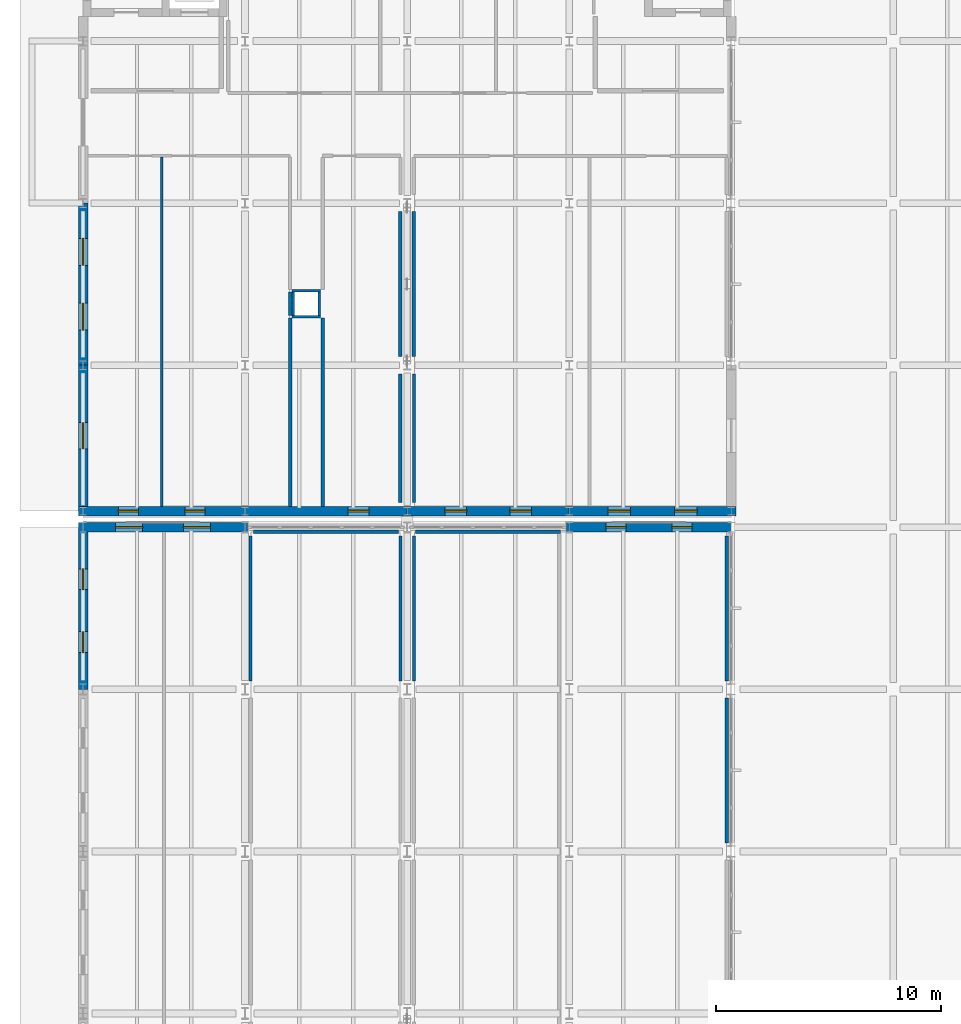
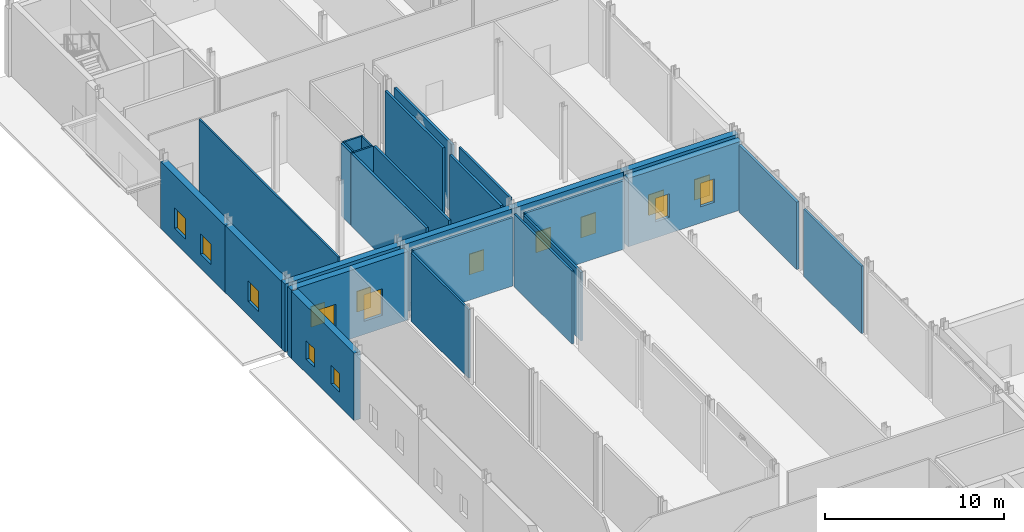
# One storey, part 62 of 89: 28 walls, 16 windows, 16 openings.
"""IFC4 building model written with IfcOpenShell, lengths in metres."""

from ifc_helpers import new_model, si_unit, direction, frame, frame_2d, origin, place, context, subcontext, project, spatial, rectangle, extrude, material, layer, layer_set, type_object, element, fill, save


model = new_model("IFC4")

# Units and contexts
model_context = context("Model", 3, precision=1e-05, world=origin(), true_north=direction((0.0, 1.0)))
body_context = subcontext(model_context, "Body", "Model", "MODEL_VIEW")
ifc_project = project(units=[si_unit("LENGTHUNIT", "METRE"), si_unit("AREAUNIT", "SQUARE_METRE"), si_unit("VOLUMEUNIT", "CUBIC_METRE"), si_unit("PLANEANGLEUNIT", "RADIAN"), si_unit("MASSUNIT", "GRAM", prefix="KILO")], contexts=[model_context])

# Site, building, storey
site_placement = place(None, origin())
site = spatial("IfcSite", under=ifc_project, at=site_placement, CompositionType="ELEMENT")
building_placement = place(site_placement, origin())
building = spatial("IfcBuilding", under=site, at=building_placement, Name="Zarrinpeak Specialist Clinic", CompositionType="ELEMENT")
storey_placement = place(building_placement, origin())
storey = spatial("IfcBuildingStorey", under=building, at=storey_placement, Name="L00", CompositionType="ELEMENT", Elevation=0.0)

# Wall, openings, windows
ifc_material_1 = material(Name="Precast concrete C40/50", Category="concrete")
ifc_layer_1 = layer(ifc_material_1, 0.419921875)
ifc_layer_set_1 = layer_set([ifc_layer_1], Name="Precast concrete C40/50")
wall_type_1 = type_object("IfcWallType", Name="WL-EW420", PredefinedType="STANDARD", material=ifc_layer_set_1)
wall_1_placement = place(storey_placement, frame((7.31005859375, 50.39990234375, 0.0), z_axis=(0.0, 0.0, 1.0), x_axis=(-1.0, 0.0, 0.0)))
wall_1 = element("IfcWall", 1, at=wall_1_placement, inside=storey, type_object=wall_type_1, Name="L00 V1 Exterior GRC Wall EW-L00-V1-0005", PredefinedType="STANDARD", context=body_context, shape_type="SweptSolid", body=[
    extrude(rectangle(XDim=7.52001953125, YDim=0.419921875, at=frame_2d((3.760009765625, 0.0))), origin(), (0.0, 0.0, 1.0), 4.6650390625),
])
opening_1_placement = place(wall_1_placement, frame((1.656005859375, 0.0, 0.89990234375)))
opening_1 = element("IfcOpeningElement", 2, at=opening_1_placement, cuts=wall_1, Name="Opening W-03", PredefinedType="OPENING", context=body_context, shape_type="SweptSolid", body=[
    extrude(rectangle(XDim=1.199951171875, YDim=1.800048828125, at=frame_2d((0.60009765625, 0.89990234375))), frame((0.0, 0.219970703125, 0.0), z_axis=(0.0, -1.0, 0.0), x_axis=(1.0, 0.0, 0.0)), (0.0, 0.0, 1.0), 0.43994140625),
])
opening_2_placement = place(wall_1_placement, frame((4.6640625, 0.0, 0.89990234375)))
opening_2 = element("IfcOpeningElement", 3, at=opening_2_placement, cuts=wall_1, Name="Opening W-03", PredefinedType="OPENING", context=body_context, shape_type="SweptSolid", body=[
    extrude(rectangle(XDim=1.199951171875, YDim=1.800048828125, at=frame_2d((0.60009765625, 0.89990234375))), frame((0.0, 0.219970703125, 0.0), z_axis=(0.0, -1.0, 0.0), x_axis=(1.0, 0.0, 0.0)), (0.0, 0.0, 1.0), 0.43994140625),
])
ifc_material_2 = material(Name="Thermally Broken Aluminium and Low-E Glazing", Category="aluminium")
window_type_1 = type_object("IfcWindowType", Name="WN-CL120", PartitioningType="SINGLE_PANEL", PredefinedType="WINDOW", material=ifc_material_2)
window_1_placement = place(opening_1_placement, origin())
window_1 = element("IfcWindow", 4, at=window_1_placement, inside=storey, type_object=window_type_1, Name="L00 Modular Facade Window WN-L00-0004", OverallHeight=1.800048828125, OverallWidth=1.199951171875, PartitioningType="SINGLE_PANEL", PredefinedType="WINDOW", context=body_context, shape_type="SweptSolid", body=[
    extrude(rectangle(XDim=1.199951171875, YDim=1.800048828125, at=frame_2d((0.60009765625, 0.89990234375))), frame((0.0, 0.030029296875, 0.0), z_axis=(0.0, -1.0, 0.0), x_axis=(1.0, 0.0, 0.0)), (0.0, 0.0, 1.0), 0.06005859375),
])
fill(opening_1, window_1)
window_2_placement = place(opening_2_placement, origin())
window_2 = element("IfcWindow", 5, at=window_2_placement, inside=storey, type_object=window_type_1, Name="L00 Modular Facade Window WN-L00-0005", OverallHeight=1.800048828125, OverallWidth=1.199951171875, PartitioningType="SINGLE_PANEL", PredefinedType="WINDOW", context=body_context, shape_type="SweptSolid", body=[
    extrude(rectangle(XDim=1.199951171875, YDim=1.800048828125, at=frame_2d((0.60009765625, 0.89990234375))), frame((0.0, 0.030029296875, 0.0), z_axis=(0.0, -1.0, 0.0), x_axis=(1.0, 0.0, 0.0)), (0.0, 0.0, 1.0), 0.06005859375),
])
fill(opening_2, window_2)

wall_2_placement = place(storey_placement, frame((28.800048828125, 50.39990234375, 0.0), z_axis=(0.0, 0.0, 1.0), x_axis=(-1.0, 0.0, 0.0)))
wall_2 = element("IfcWall", 6, at=wall_2_placement, inside=storey, type_object=wall_type_1, Name="L00 V1 Exterior GRC Wall EW-L00-V1-0006", PredefinedType="STANDARD", context=body_context, shape_type="SweptSolid", body=[
    extrude(rectangle(XDim=7.31005859375, YDim=0.419921875, at=frame_2d((3.655029296875, 0.0))), origin(), (0.0, 0.0, 1.0), 4.6650390625),
])
opening_3_placement = place(wall_2_placement, frame((1.742919921875, 0.0, 1.10009765625)))
opening_3 = element("IfcOpeningElement", 7, at=opening_3_placement, cuts=wall_2, Name="Opening W-07", PredefinedType="OPENING", context=body_context, shape_type="SweptSolid", body=[
    extrude(rectangle(XDim=0.89990234375, YDim=1.60009765625, at=frame_2d((0.449951171875, 0.800048828125))), frame((0.0, 0.219970703125, 0.0), z_axis=(0.0, -1.0, 0.0), x_axis=(1.0, 0.0, 0.0)), (0.0, 0.0, 1.0), 0.43994140625),
])
opening_4_placement = place(wall_2_placement, frame((4.6669921875, 0.0, 1.10009765625)))
opening_4 = element("IfcOpeningElement", 8, at=opening_4_placement, cuts=wall_2, Name="Opening W-07", PredefinedType="OPENING", context=body_context, shape_type="SweptSolid", body=[
    extrude(rectangle(XDim=0.89990234375, YDim=1.60009765625, at=frame_2d((0.449951171875, 0.800048828125))), frame((0.0, 0.219970703125, 0.0), z_axis=(0.0, -1.0, 0.0), x_axis=(1.0, 0.0, 0.0)), (0.0, 0.0, 1.0), 0.43994140625),
])
window_type_2 = type_object("IfcWindowType", Name="WN-OBS90", PartitioningType="SINGLE_PANEL", PredefinedType="WINDOW", material=ifc_material_2)
window_3_placement = place(opening_3_placement, origin())
window_3 = element("IfcWindow", 9, at=window_3_placement, inside=storey, type_object=window_type_2, Name="L00 Modular Facade Window WN-L00-0006", OverallHeight=1.60009765625, OverallWidth=0.89990234375, PartitioningType="SINGLE_PANEL", PredefinedType="WINDOW", context=body_context, shape_type="SweptSolid", body=[
    extrude(rectangle(XDim=0.89990234375, YDim=1.60009765625, at=frame_2d((0.449951171875, 0.800048828125))), frame((0.0, 0.030029296875, 0.0), z_axis=(0.0, -1.0, 0.0), x_axis=(1.0, 0.0, 0.0)), (0.0, 0.0, 1.0), 0.06005859375),
])
fill(opening_3, window_3)
window_4_placement = place(opening_4_placement, origin())
window_4 = element("IfcWindow", 10, at=window_4_placement, inside=storey, type_object=window_type_2, Name="L00 Modular Facade Window WN-L00-0007", OverallHeight=1.60009765625, OverallWidth=0.89990234375, PartitioningType="SINGLE_PANEL", PredefinedType="WINDOW", context=body_context, shape_type="SweptSolid", body=[
    extrude(rectangle(XDim=0.89990234375, YDim=1.60009765625, at=frame_2d((0.449951171875, 0.800048828125))), frame((0.0, 0.030029296875, 0.0), z_axis=(0.0, -1.0, 0.0), x_axis=(1.0, 0.0, 0.0)), (0.0, 0.0, 1.0), 0.06005859375),
])
fill(opening_4, window_4)

wall_3_placement = place(storey_placement, frame((0.0, 50.18994140625, 0.0), z_axis=(0.0, 0.0, 1.0), x_axis=(0.0, -1.0, 0.0)))
wall_3 = element("IfcWall", 11, at=wall_3_placement, inside=storey, type_object=wall_type_1, Name="L00 V1 Exterior GRC Wall EW-L00-V1-0012", PredefinedType="STANDARD", context=body_context, shape_type="SweptSolid", body=[
    extrude(rectangle(XDim=6.989990234375, YDim=0.419921875, at=frame_2d((3.4951171875, 0.0))), origin(), (0.0, 0.0, 1.0), 4.594970703125),
])
opening_5_placement = place(wall_3_placement, frame((1.633056640625, 0.0, 0.949951171875)))
opening_5 = element("IfcOpeningElement", 12, at=opening_5_placement, cuts=wall_3, Name="Opening WS-03", PredefinedType="OPENING", context=body_context, shape_type="SweptSolid", body=[
    extrude(rectangle(XDim=0.927978515625, YDim=1.260009765625, at=frame_2d((0.4638671875, 0.6298828125))), frame((0.0, 0.219970703125, 0.0), z_axis=(0.0, -1.0, 0.0), x_axis=(1.0, 0.0, 0.0)), (0.0, 0.0, 1.0), 0.43994140625),
])
opening_6_placement = place(wall_3_placement, frame((4.428955078125, 0.0, 0.949951171875)))
opening_6 = element("IfcOpeningElement", 13, at=opening_6_placement, cuts=wall_3, Name="Opening WS-03", PredefinedType="OPENING", context=body_context, shape_type="SweptSolid", body=[
    extrude(rectangle(XDim=0.927978515625, YDim=1.260009765625, at=frame_2d((0.4638671875, 0.6298828125))), frame((0.0, 0.219970703125, 0.0), z_axis=(0.0, -1.0, 0.0), x_axis=(1.0, 0.0, 0.0)), (0.0, 0.0, 1.0), 0.43994140625),
])
window_type_3 = type_object("IfcWindowType", Name="WN-SP03", PartitioningType="SINGLE_PANEL", PredefinedType="WINDOW", material=ifc_material_2)
window_5_placement = place(opening_5_placement, origin())
window_5 = element("IfcWindow", 14, at=window_5_placement, inside=storey, type_object=window_type_3, Name="L00 Modular Facade Window WN-L00-0016", OverallHeight=1.260009765625, OverallWidth=0.927978515625, PartitioningType="SINGLE_PANEL", PredefinedType="WINDOW", context=body_context, shape_type="SweptSolid", body=[
    extrude(rectangle(XDim=0.927978515625, YDim=1.260009765625, at=frame_2d((0.4638671875, 0.6298828125))), frame((0.0, 0.030029296875, 0.0), z_axis=(0.0, -1.0, 0.0), x_axis=(1.0, 0.0, 0.0)), (0.0, 0.0, 1.0), 0.06005859375),
])
fill(opening_5, window_5)
window_6_placement = place(opening_6_placement, origin())
window_6 = element("IfcWindow", 15, at=window_6_placement, inside=storey, type_object=window_type_3, Name="L00 Modular Facade Window WN-L00-0017", OverallHeight=1.260009765625, OverallWidth=0.927978515625, PartitioningType="SINGLE_PANEL", PredefinedType="WINDOW", context=body_context, shape_type="SweptSolid", body=[
    extrude(rectangle(XDim=0.927978515625, YDim=1.260009765625, at=frame_2d((0.4638671875, 0.6298828125))), frame((0.0, 0.030029296875, 0.0), z_axis=(0.0, -1.0, 0.0), x_axis=(1.0, 0.0, 0.0)), (0.0, 0.0, 1.0), 0.06005859375),
])
fill(opening_6, window_6)

wall_4_placement = place(storey_placement, frame((-0.2099609375, 51.1201171875, 0.0), z_axis=(0.0, 0.0, 1.0), x_axis=(1.0, 0.0, 0.0)))
wall_4 = element("IfcWall", 16, at=wall_4_placement, inside=storey, type_object=wall_type_1, Name="L00 V5 Exterior GRC Wall EW-L00-V5-0211", PredefinedType="STANDARD", context=body_context, shape_type="SweptSolid", body=[
    extrude(rectangle(XDim=7.409912109375, YDim=0.419921875, at=frame_2d((3.705078125, 0.0))), origin(), (0.0, 0.0, 1.0), 4.635009765625),
])
opening_7_placement = place(wall_4_placement, frame((1.77587890625, 0.0, 0.949951171875)))
opening_7 = element("IfcOpeningElement", 17, at=opening_7_placement, cuts=wall_4, Name="Opening WS-54", PredefinedType="OPENING", context=body_context, shape_type="SweptSolid", body=[
    extrude(rectangle(XDim=0.89404296875, YDim=1.404052734375, at=frame_2d((0.447021484375, 0.7021484375))), frame((0.0, 0.219970703125, 0.0), z_axis=(0.0, -1.0, 0.0), x_axis=(1.0, 0.0, 0.0)), (0.0, 0.0, 1.0), 0.43994140625),
])
opening_8_placement = place(wall_4_placement, frame((4.739990234375, 0.0, 0.949951171875)))
opening_8 = element("IfcOpeningElement", 18, at=opening_8_placement, cuts=wall_4, Name="Opening WS-54", PredefinedType="OPENING", context=body_context, shape_type="SweptSolid", body=[
    extrude(rectangle(XDim=0.89404296875, YDim=1.404052734375, at=frame_2d((0.447021484375, 0.7021484375))), frame((0.0, 0.219970703125, 0.0), z_axis=(0.0, -1.0, 0.0), x_axis=(1.0, 0.0, 0.0)), (0.0, 0.0, 1.0), 0.43994140625),
])
window_type_4 = type_object("IfcWindowType", Name="WN-SP54", PartitioningType="SINGLE_PANEL", PredefinedType="WINDOW", material=ifc_material_2)
window_7_placement = place(opening_7_placement, origin())
window_7 = element("IfcWindow", 19, at=window_7_placement, inside=storey, type_object=window_type_4, Name="L00 Modular Facade Window WN-L00-0242", OverallHeight=1.404052734375, OverallWidth=0.89404296875, PartitioningType="SINGLE_PANEL", PredefinedType="WINDOW", context=body_context, shape_type="SweptSolid", body=[
    extrude(rectangle(XDim=0.89404296875, YDim=1.404052734375, at=frame_2d((0.447021484375, 0.7021484375))), frame((0.0, 0.030029296875, 0.0), z_axis=(0.0, -1.0, 0.0), x_axis=(1.0, 0.0, 0.0)), (0.0, 0.0, 1.0), 0.06005859375),
])
fill(opening_7, window_7)
window_8_placement = place(opening_8_placement, origin())
window_8 = element("IfcWindow", 20, at=window_8_placement, inside=storey, type_object=window_type_4, Name="L00 Modular Facade Window WN-L00-0243", OverallHeight=1.404052734375, OverallWidth=0.89404296875, PartitioningType="SINGLE_PANEL", PredefinedType="WINDOW", context=body_context, shape_type="SweptSolid", body=[
    extrude(rectangle(XDim=0.89404296875, YDim=1.404052734375, at=frame_2d((0.447021484375, 0.7021484375))), frame((0.0, 0.030029296875, 0.0), z_axis=(0.0, -1.0, 0.0), x_axis=(1.0, 0.0, 0.0)), (0.0, 0.0, 1.0), 0.06005859375),
])
fill(opening_8, window_8)

# Wall, opening, window
wall_5_placement = place(storey_placement, frame((7.199951171875, 51.1201171875, 0.0), z_axis=(0.0, 0.0, 1.0), x_axis=(1.0, 0.0, 0.0)))
wall_5 = element("IfcWall", 21, at=wall_5_placement, inside=storey, type_object=wall_type_1, Name="L00 V5 Exterior GRC Wall EW-L00-V5-0212", PredefinedType="STANDARD", context=body_context, shape_type="SweptSolid", body=[
    extrude(rectangle(XDim=7.199951171875, YDim=0.419921875, at=frame_2d((3.60009765625, 0.0))), origin(), (0.0, 0.0, 1.0), 4.635009765625),
])
opening_9_placement = place(wall_5_placement, frame((4.575927734375, 0.0, 0.949951171875)))
opening_9 = element("IfcOpeningElement", 22, at=opening_9_placement, cuts=wall_5, Name="Opening WS-55", PredefinedType="OPENING", context=body_context, shape_type="SweptSolid", body=[
    extrude(rectangle(XDim=0.927978515625, YDim=1.404052734375, at=frame_2d((0.4638671875, 0.7021484375))), frame((0.0, 0.219970703125, 0.0), z_axis=(0.0, -1.0, 0.0), x_axis=(1.0, 0.0, 0.0)), (0.0, 0.0, 1.0), 0.43994140625),
])
window_type_5 = type_object("IfcWindowType", Name="WN-SP55", PartitioningType="SINGLE_PANEL", PredefinedType="WINDOW", material=ifc_material_2)
window_9_placement = place(opening_9_placement, origin())
window_9 = element("IfcWindow", 23, at=window_9_placement, inside=storey, type_object=window_type_5, Name="L00 Modular Facade Window WN-L00-0244", OverallHeight=1.404052734375, OverallWidth=0.927978515625, PartitioningType="SINGLE_PANEL", PredefinedType="WINDOW", context=body_context, shape_type="SweptSolid", body=[
    extrude(rectangle(XDim=0.927978515625, YDim=1.404052734375, at=frame_2d((0.4638671875, 0.7021484375))), frame((0.0, 0.030029296875, 0.0), z_axis=(0.0, -1.0, 0.0), x_axis=(1.0, 0.0, 0.0)), (0.0, 0.0, 1.0), 0.06005859375),
])
fill(opening_9, window_9)

# Wall, openings, windows
wall_6_placement = place(storey_placement, frame((14.39990234375, 51.1201171875, 0.0), z_axis=(0.0, 0.0, 1.0), x_axis=(1.0, 0.0, 0.0)))
wall_6 = element("IfcWall", 24, at=wall_6_placement, inside=storey, type_object=wall_type_1, Name="L00 V5 Exterior GRC Wall EW-L00-V5-0213", PredefinedType="STANDARD", context=body_context, shape_type="SweptSolid", body=[
    extrude(rectangle(XDim=7.2001953125, YDim=0.419921875, at=frame_2d((3.60009765625, 0.0))), origin(), (0.0, 0.0, 1.0), 4.635009765625),
])
opening_10_placement = place(wall_6_placement, frame((1.678955078125, 0.0, 0.949951171875)))
opening_10 = element("IfcOpeningElement", 25, at=opening_10_placement, cuts=wall_6, Name="Opening WS-56", PredefinedType="OPENING", context=body_context, shape_type="SweptSolid", body=[
    extrude(rectangle(XDim=0.9619140625, YDim=1.404052734375, at=frame_2d((0.48095703125, 0.7021484375))), frame((0.0, 0.219970703125, 0.0), z_axis=(0.0, -1.0, 0.0), x_axis=(1.0, 0.0, 0.0)), (0.0, 0.0, 1.0), 0.43994140625),
])
opening_11_placement = place(wall_6_placement, frame((4.55908203125, 0.0, 0.949951171875)))
opening_11 = element("IfcOpeningElement", 26, at=opening_11_placement, cuts=wall_6, Name="Opening WS-56", PredefinedType="OPENING", context=body_context, shape_type="SweptSolid", body=[
    extrude(rectangle(XDim=0.9619140625, YDim=1.404052734375, at=frame_2d((0.48095703125, 0.7021484375))), frame((0.0, 0.219970703125, 0.0), z_axis=(0.0, -1.0, 0.0), x_axis=(1.0, 0.0, 0.0)), (0.0, 0.0, 1.0), 0.43994140625),
])
window_type_6 = type_object("IfcWindowType", Name="WN-SP56", PartitioningType="SINGLE_PANEL", PredefinedType="WINDOW", material=ifc_material_2)
window_10_placement = place(opening_10_placement, origin())
window_10 = element("IfcWindow", 27, at=window_10_placement, inside=storey, type_object=window_type_6, Name="L00 Modular Facade Window WN-L00-0245", OverallHeight=1.404052734375, OverallWidth=0.9619140625, PartitioningType="SINGLE_PANEL", PredefinedType="WINDOW", context=body_context, shape_type="SweptSolid", body=[
    extrude(rectangle(XDim=0.9619140625, YDim=1.404052734375, at=frame_2d((0.48095703125, 0.7021484375))), frame((0.0, 0.030029296875, 0.0), z_axis=(0.0, -1.0, 0.0), x_axis=(1.0, 0.0, 0.0)), (0.0, 0.0, 1.0), 0.06005859375),
])
fill(opening_10, window_10)
window_11_placement = place(opening_11_placement, origin())
window_11 = element("IfcWindow", 28, at=window_11_placement, inside=storey, type_object=window_type_6, Name="L00 Modular Facade Window WN-L00-0246", OverallHeight=1.404052734375, OverallWidth=0.9619140625, PartitioningType="SINGLE_PANEL", PredefinedType="WINDOW", context=body_context, shape_type="SweptSolid", body=[
    extrude(rectangle(XDim=0.9619140625, YDim=1.404052734375, at=frame_2d((0.48095703125, 0.7021484375))), frame((0.0, 0.030029296875, 0.0), z_axis=(0.0, -1.0, 0.0), x_axis=(1.0, 0.0, 0.0)), (0.0, 0.0, 1.0), 0.06005859375),
])
fill(opening_11, window_11)

wall_7_placement = place(storey_placement, frame((21.60009765625, 51.1201171875, 0.0), z_axis=(0.0, 0.0, 1.0), x_axis=(1.0, 0.0, 0.0)))
wall_7 = element("IfcWall", 29, at=wall_7_placement, inside=storey, type_object=wall_type_1, Name="L00 V5 Exterior GRC Wall EW-L00-V5-0214", PredefinedType="STANDARD", context=body_context, shape_type="SweptSolid", body=[
    extrude(rectangle(XDim=7.409912109375, YDim=0.419921875, at=frame_2d((3.705078125, 0.0))), origin(), (0.0, 0.0, 1.0), 4.635009765625),
])
opening_12_placement = place(wall_7_placement, frame((1.72509765625, 0.0, 0.949951171875)))
opening_12 = element("IfcOpeningElement", 30, at=opening_12_placement, cuts=wall_7, Name="Opening WS-57", PredefinedType="OPENING", context=body_context, shape_type="SweptSolid", body=[
    extrude(rectangle(XDim=0.99609375, YDim=1.404052734375, at=frame_2d((0.498046875, 0.7021484375))), frame((0.0, 0.219970703125, 0.0), z_axis=(0.0, -1.0, 0.0), x_axis=(1.0, 0.0, 0.0)), (0.0, 0.0, 1.0), 0.43994140625),
])
opening_13_placement = place(wall_7_placement, frame((4.68896484375, 0.0, 0.949951171875)))
opening_13 = element("IfcOpeningElement", 31, at=opening_13_placement, cuts=wall_7, Name="Opening WS-57", PredefinedType="OPENING", context=body_context, shape_type="SweptSolid", body=[
    extrude(rectangle(XDim=0.99609375, YDim=1.404052734375, at=frame_2d((0.498046875, 0.7021484375))), frame((0.0, 0.219970703125, 0.0), z_axis=(0.0, -1.0, 0.0), x_axis=(1.0, 0.0, 0.0)), (0.0, 0.0, 1.0), 0.43994140625),
])
window_type_7 = type_object("IfcWindowType", Name="WN-SP57", PartitioningType="SINGLE_PANEL", PredefinedType="WINDOW", material=ifc_material_2)
window_12_placement = place(opening_12_placement, origin())
window_12 = element("IfcWindow", 32, at=window_12_placement, inside=storey, type_object=window_type_7, Name="L00 Modular Facade Window WN-L00-0247", OverallHeight=1.404052734375, OverallWidth=0.99609375, PartitioningType="SINGLE_PANEL", PredefinedType="WINDOW", context=body_context, shape_type="SweptSolid", body=[
    extrude(rectangle(XDim=0.99609375, YDim=1.404052734375, at=frame_2d((0.498046875, 0.7021484375))), frame((0.0, 0.030029296875, 0.0), z_axis=(0.0, -1.0, 0.0), x_axis=(1.0, 0.0, 0.0)), (0.0, 0.0, 1.0), 0.06005859375),
])
fill(opening_12, window_12)
window_13_placement = place(opening_13_placement, origin())
window_13 = element("IfcWindow", 33, at=window_13_placement, inside=storey, type_object=window_type_7, Name="L00 Modular Facade Window WN-L00-0248", OverallHeight=1.404052734375, OverallWidth=0.99609375, PartitioningType="SINGLE_PANEL", PredefinedType="WINDOW", context=body_context, shape_type="SweptSolid", body=[
    extrude(rectangle(XDim=0.99609375, YDim=1.404052734375, at=frame_2d((0.498046875, 0.7021484375))), frame((0.0, 0.030029296875, 0.0), z_axis=(0.0, -1.0, 0.0), x_axis=(1.0, 0.0, 0.0)), (0.0, 0.0, 1.0), 0.06005859375),
])
fill(opening_13, window_13)

# Wall, opening, window
wall_8_placement = place(storey_placement, frame((0.0, 57.60009765625, 0.0), z_axis=(0.0, 0.0, 1.0), x_axis=(0.0, -1.0, 0.0)))
wall_8 = element("IfcWall", 34, at=wall_8_placement, inside=storey, type_object=wall_type_1, Name="L00 V5 Exterior GRC Wall EW-L00-V5-0219", PredefinedType="STANDARD", context=body_context, shape_type="SweptSolid", body=[
    extrude(rectangle(XDim=6.27001953125, YDim=0.419921875, at=frame_2d((3.135009765625, 0.0))), origin(), (0.0, 0.0, 1.0), 4.56494140625),
])
opening_14_placement = place(wall_8_placement, frame((2.552001953125, 0.0, 0.949951171875)))
opening_14 = element("IfcOpeningElement", 35, at=opening_14_placement, cuts=wall_8, Name="Opening WS-62", PredefinedType="OPENING", context=body_context, shape_type="SweptSolid", body=[
    extrude(rectangle(XDim=1.166015625, YDim=1.404052734375, at=frame_2d((0.5830078125, 0.7021484375))), frame((0.0, 0.219970703125, 0.0), z_axis=(0.0, -1.0, 0.0), x_axis=(1.0, 0.0, 0.0)), (0.0, 0.0, 1.0), 0.43994140625),
])
window_type_8 = type_object("IfcWindowType", Name="WN-SP62", PartitioningType="SINGLE_PANEL", PredefinedType="WINDOW", material=ifc_material_2)
window_14_placement = place(opening_14_placement, origin())
window_14 = element("IfcWindow", 36, at=window_14_placement, inside=storey, type_object=window_type_8, Name="L00 Modular Facade Window WN-L00-0256", OverallHeight=1.404052734375, OverallWidth=1.166015625, PartitioningType="SINGLE_PANEL", PredefinedType="WINDOW", context=body_context, shape_type="SweptSolid", body=[
    extrude(rectangle(XDim=1.166015625, YDim=1.404052734375, at=frame_2d((0.5830078125, 0.7021484375))), frame((0.0, 0.030029296875, 0.0), z_axis=(0.0, -1.0, 0.0), x_axis=(1.0, 0.0, 0.0)), (0.0, 0.0, 1.0), 0.06005859375),
])
fill(opening_14, window_14)

# Wall, openings, windows
wall_9_placement = place(storey_placement, frame((0.0, 64.800048828125, 0.0), z_axis=(0.0, 0.0, 1.0), x_axis=(0.0, -1.0, 0.0)))
wall_9 = element("IfcWall", 37, at=wall_9_placement, inside=storey, type_object=wall_type_1, Name="L00 V5 Exterior GRC Wall EW-L00-V5-0220", PredefinedType="STANDARD", context=body_context, shape_type="SweptSolid", body=[
    extrude(rectangle(XDim=7.199951171875, YDim=0.419921875, at=frame_2d((3.60009765625, 0.0))), origin(), (0.0, 0.0, 1.0), 4.56494140625),
])
opening_15_placement = place(wall_9_placement, frame((1.56005859375, 0.0, 0.949951171875)))
opening_15 = element("IfcOpeningElement", 38, at=opening_15_placement, cuts=wall_9, Name="Opening WS-63", PredefinedType="OPENING", context=body_context, shape_type="SweptSolid", body=[
    extrude(rectangle(XDim=1.199951171875, YDim=1.404052734375, at=frame_2d((0.60009765625, 0.7021484375))), frame((0.0, 0.219970703125, 0.0), z_axis=(0.0, -1.0, 0.0), x_axis=(1.0, 0.0, 0.0)), (0.0, 0.0, 1.0), 0.43994140625),
])
opening_16_placement = place(wall_9_placement, frame((4.43994140625, 0.0, 0.949951171875)))
opening_16 = element("IfcOpeningElement", 39, at=opening_16_placement, cuts=wall_9, Name="Opening WS-63", PredefinedType="OPENING", context=body_context, shape_type="SweptSolid", body=[
    extrude(rectangle(XDim=1.199951171875, YDim=1.404052734375, at=frame_2d((0.60009765625, 0.7021484375))), frame((0.0, 0.219970703125, 0.0), z_axis=(0.0, -1.0, 0.0), x_axis=(1.0, 0.0, 0.0)), (0.0, 0.0, 1.0), 0.43994140625),
])
window_type_9 = type_object("IfcWindowType", Name="WN-SP63", PartitioningType="SINGLE_PANEL", PredefinedType="WINDOW", material=ifc_material_2)
window_15_placement = place(opening_15_placement, origin())
window_15 = element("IfcWindow", 40, at=window_15_placement, inside=storey, type_object=window_type_9, Name="L00 Modular Facade Window WN-L00-0257", OverallHeight=1.404052734375, OverallWidth=1.199951171875, PartitioningType="SINGLE_PANEL", PredefinedType="WINDOW", context=body_context, shape_type="SweptSolid", body=[
    extrude(rectangle(XDim=1.199951171875, YDim=1.404052734375, at=frame_2d((0.60009765625, 0.7021484375))), frame((0.0, 0.030029296875, 0.0), z_axis=(0.0, -1.0, 0.0), x_axis=(1.0, 0.0, 0.0)), (0.0, 0.0, 1.0), 0.06005859375),
])
fill(opening_15, window_15)
window_16_placement = place(opening_16_placement, origin())
window_16 = element("IfcWindow", 41, at=window_16_placement, inside=storey, type_object=window_type_9, Name="L00 Modular Facade Window WN-L00-0258", OverallHeight=1.404052734375, OverallWidth=1.199951171875, PartitioningType="SINGLE_PANEL", PredefinedType="WINDOW", context=body_context, shape_type="SweptSolid", body=[
    extrude(rectangle(XDim=1.199951171875, YDim=1.404052734375, at=frame_2d((0.60009765625, 0.7021484375))), frame((0.0, 0.030029296875, 0.0), z_axis=(0.0, -1.0, 0.0), x_axis=(1.0, 0.0, 0.0)), (0.0, 0.0, 1.0), 0.06005859375),
])
fill(opening_16, window_16)

# Walls
ifc_material_3 = material(Name="Sanitary Service Chase Plumbing Wall", Category="gypsum")
ifc_layer_2 = layer(ifc_material_3, 0.110107421875)
ifc_layer_set_2 = layer_set([ifc_layer_2], Name="Sanitary Service Chase Plumbing Wall")
wall_type_2 = type_object("IfcWallType", Name="WL-IW110", PredefinedType="PARTITIONING", material=ifc_layer_set_2)
for number, where, z_axis, x_axis, name in (
    (42, (9.2900390625, 59.7451171875, 0.0), (0.0, 0.0, 1.0), (1.0, 0.0, 0.0), "L00 V5 Enclosed MEP Service Riser Wall S"),
    (43, (9.2900390625, 60.905029296875, 0.0), (0.0, 0.0, 1.0), (1.0, 0.0, 0.0), "L00 V5 Enclosed MEP Service Riser Wall N"),
):
    element("IfcWall", number, at=place(storey_placement, frame(where, z_axis=z_axis, x_axis=x_axis)), inside=storey, type_object=wall_type_2, Name=name, PredefinedType="PARTITIONING", context=body_context, shape_type="SweptSolid", body=[
        extrude(rectangle(XDim=1.27001953125, YDim=0.110107421875, at=frame_2d((0.635009765625, 0.0))), origin(), (0.0, 0.0, 1.0), 4.93994140625),
    ])
for number, where, z_axis, x_axis, name in (
    (44, (9.344970703125, 59.800048828125, 0.0), (0.0, 0.0, 1.0), (0.0, 1.0, 0.0), "L00 V5 Enclosed MEP Service Riser Wall W"),
    (45, (10.5048828125, 59.800048828125, 0.0), (0.0, 0.0, 1.0), (0.0, 1.0, 0.0), "L00 V5 Enclosed MEP Service Riser Wall E"),
):
    element("IfcWall", number, at=place(storey_placement, frame(where, z_axis=z_axis, x_axis=x_axis)), inside=storey, type_object=wall_type_2, Name=name, PredefinedType="PARTITIONING", context=body_context, shape_type="SweptSolid", body=[
        extrude(rectangle(XDim=1.050048828125, YDim=0.110107421875, at=frame_2d((0.52490234375, 0.0))), origin(), (0.0, 0.0, 1.0), 4.93994140625),
    ])
wall_10_placement = place(storey_placement, frame((3.5, 51.320068359375, 0.0), z_axis=(0.0, 0.0, 1.0), x_axis=(0.0, 1.0, 0.0)))
element("IfcWall", 46, at=wall_10_placement, inside=storey, type_object=wall_type_2, Name="L00 Accessible Gowning WC Dividing Partition", PredefinedType="PARTITIONING", context=body_context, shape_type="SweptSolid", body=[
    extrude(rectangle(XDim=15.52490234375, YDim=0.110107421875, at=frame_2d((7.762451171875, 0.0))), origin(), (0.0, 0.0, 1.0), 4.93994140625),
])
ifc_material_4 = material(Name="Standard Drywall Partition", Category="gypsum")
ifc_layer_3 = layer(ifc_material_4, 0.135009765625)
ifc_layer_set_3 = layer_set([ifc_layer_3], Name="Standard Drywall Partition")
wall_type_3 = type_object("IfcWallType", Name="WL-IW135", PredefinedType="PARTITIONING", material=ifc_layer_set_3)
wall_11_placement = place(storey_placement, frame((7.449951171875, 43.580078125, 0.0), z_axis=(0.0, 0.0, 1.0), x_axis=(0.0, 1.0, 0.0)))
element("IfcWall", 47, at=wall_11_placement, inside=storey, type_object=wall_type_3, Name="L00 Fire Command Room Dividing Partition", PredefinedType="PARTITIONING", context=body_context, shape_type="SweptSolid", body=[
    extrude(rectangle(XDim=6.43994140625, YDim=0.135009765625, at=frame_2d((3.219970703125, 0.0))), origin(), (0.0, 0.0, 1.0), 4.6650390625),
])
wall_12_placement = place(storey_placement, frame((14.10009765625, 43.580078125, 0.0), z_axis=(0.0, 0.0, 1.0), x_axis=(0.0, 1.0, 0.0)))
element("IfcWall", 48, at=wall_12_placement, inside=storey, type_object=wall_type_3, Name="L00 Cardiology ECG Diagnostic Suite Dividing Partition", PredefinedType="PARTITIONING", context=body_context, shape_type="SweptSolid", body=[
    extrude(rectangle(XDim=6.43994140625, YDim=0.135009765625, at=frame_2d((3.219970703125, 0.0))), origin(), (0.0, 0.0, 1.0), 4.969970703125),
])
wall_13_placement = place(storey_placement, frame((14.699951171875, 51.5, 0.0), z_axis=(0.0, 0.0, 1.0), x_axis=(0.0, 1.0, 0.0)))
element("IfcWall", 49, at=wall_13_placement, inside=storey, type_object=wall_type_3, Name="L00 Specialist Consultation Room 2 Dividing Partition", PredefinedType="PARTITIONING", context=body_context, shape_type="SweptSolid", body=[
    extrude(rectangle(XDim=5.719970703125, YDim=0.135009765625, at=frame_2d((2.85986328125, 0.0))), origin(), (0.0, 0.0, 1.0), 4.93994140625),
])
wall_14_placement = place(storey_placement, frame((28.60009765625, 36.3798828125, 0.0), z_axis=(0.0, 0.0, 1.0), x_axis=(0.0, 1.0, 0.0)))
element("IfcWall", 50, at=wall_14_placement, inside=storey, type_object=wall_type_3, Name="L00 Phlebotomy Specimen Collection Dividing Partition", PredefinedType="PARTITIONING", context=body_context, shape_type="SweptSolid", body=[
    extrude(rectangle(XDim=6.440185546875, YDim=0.135009765625, at=frame_2d((3.22021484375, 0.0))), origin(), (0.0, 0.0, 1.0), 4.594970703125),
])
ifc_material_5 = material(Name="Acoustic Consultation Stud Partition", Category="gypsum")
ifc_layer_4 = layer(ifc_material_5, 0.14208984375)
ifc_layer_set_4 = layer_set([ifc_layer_4], Name="Acoustic Consultation Stud Partition")
wall_type_4 = type_object("IfcWallType", Name="WL-IW142", PredefinedType="PARTITIONING", material=ifc_layer_set_4)
for number, where, z_axis, x_axis, name in (
    (51, (14.780029296875, 50.199951171875, 0.0), (0.0, 0.0, 1.0), (1.0, 0.0, 0.0), "L00 Main Outpatient Triage Reception Partition"),
    (52, (14.699951171875, 43.580078125, 0.0), (0.0, 0.0, 1.0), (0.0, 1.0, 0.0), "L00 Main Outpatient Triage Reception Dividing Partition"),
):
    element("IfcWall", number, at=place(storey_placement, frame(where, z_axis=z_axis, x_axis=x_axis)), inside=storey, type_object=wall_type_4, Name=name, PredefinedType="PARTITIONING", context=body_context, shape_type="SweptSolid", body=[
        extrude(rectangle(XDim=6.43994140625, YDim=0.14208984375, at=frame_2d((3.219970703125, 0.0))), origin(), (0.0, 0.0, 1.0), 4.6650390625),
    ])
ifc_material_6 = material(Name="Insulated Clinical Gypsum Stud Partition", Category="gypsum")
ifc_layer_5 = layer(ifc_material_6, 0.14990234375)
ifc_layer_set_5 = layer_set([ifc_layer_5], Name="Insulated Clinical Gypsum Stud Partition")
wall_type_5 = type_object("IfcWallType", Name="WL-IW150", PredefinedType="PARTITIONING", material=ifc_layer_set_5)
wall_15_placement = place(storey_placement, frame((7.580078125, 50.199951171875, 0.0), z_axis=(0.0, 0.0, 1.0), x_axis=(1.0, 0.0, 0.0)))
element("IfcWall", 53, at=wall_15_placement, inside=storey, type_object=wall_type_5, Name="L00 Cardiology ECG Diagnostic Suite Partition", PredefinedType="PARTITIONING", context=body_context, shape_type="SweptSolid", body=[
    extrude(rectangle(XDim=6.43994140625, YDim=0.14990234375, at=frame_2d((3.219970703125, 0.0))), origin(), (0.0, 0.0, 1.0), 4.6650390625),
])
wall_16_placement = place(storey_placement, frame((9.199951171875, 59.800048828125, 0.0), z_axis=(0.0, 0.0, 1.0), x_axis=(0.0, 1.0, 0.0)))
element("IfcWall", 54, at=wall_16_placement, inside=storey, type_object=wall_type_5, Name="L00 Imaging Gowning Waiting Area Dividing Partition", PredefinedType="PARTITIONING", context=body_context, shape_type="SweptSolid", body=[
    extrude(rectangle(XDim=1.050048828125, YDim=0.14990234375, at=frame_2d((0.52490234375, 0.0))), origin(), (0.0, 0.0, 1.0), 4.93994140625),
])
wall_17_placement = place(storey_placement, frame((10.64990234375, 51.320068359375, 0.0), z_axis=(0.0, 0.0, 1.0), x_axis=(0.0, 1.0, 0.0)))
element("IfcWall", 55, at=wall_17_placement, inside=storey, type_object=wall_type_5, Name="L00 Radiology Reporting Control Room Dividing Partition", PredefinedType="PARTITIONING", context=body_context, shape_type="SweptSolid", body=[
    extrude(rectangle(XDim=8.369873046875, YDim=0.14990234375, at=frame_2d((4.18505859375, 0.0))), origin(), (0.0, 0.0, 1.0), 4.93994140625),
])
wall_18_placement = place(storey_placement, frame((14.10009765625, 57.97998046875, 0.0), z_axis=(0.0, 0.0, 1.0), x_axis=(0.0, 1.0, 0.0)))
element("IfcWall", 56, at=wall_18_placement, inside=storey, type_object=wall_type_5, Name="L00 Radiology Reporting Control Room Dividing Partition", PredefinedType="PARTITIONING", context=body_context, shape_type="SweptSolid", body=[
    extrude(rectangle(XDim=6.43994140625, YDim=0.14990234375, at=frame_2d((3.219970703125, 0.0))), origin(), (0.0, 0.0, 1.0), 4.635009765625),
])
ifc_material_7 = material(Name="Acoustic Double Gypsum Stud Partition", Category="gypsum")
ifc_layer_6 = layer(ifc_material_7, 0.159912109375)
ifc_layer_set_6 = layer_set([ifc_layer_6], Name="Acoustic Double Gypsum Stud Partition")
wall_type_6 = type_object("IfcWallType", Name="WL-IW160", PredefinedType="PARTITIONING", material=ifc_layer_set_6)
wall_19_placement = place(storey_placement, frame((9.199951171875, 51.320068359375, 0.0), z_axis=(0.0, 0.0, 1.0), x_axis=(0.0, 1.0, 0.0)))
element("IfcWall", 57, at=wall_19_placement, inside=storey, type_object=wall_type_6, Name="L00 Imaging Gowning Waiting Area Dividing Partition", PredefinedType="PARTITIONING", context=body_context, shape_type="SweptSolid", body=[
    extrude(rectangle(XDim=8.369873046875, YDim=0.159912109375, at=frame_2d((4.18505859375, 0.0))), origin(), (0.0, 0.0, 1.0), 4.93994140625),
])
wall_20_placement = place(storey_placement, frame((14.10009765625, 51.5, 0.0), z_axis=(0.0, 0.0, 1.0), x_axis=(0.0, 1.0, 0.0)))
element("IfcWall", 58, at=wall_20_placement, inside=storey, type_object=wall_type_6, Name="L00 Radiology Reporting Control Room Dividing Partition", PredefinedType="PARTITIONING", context=body_context, shape_type="SweptSolid", body=[
    extrude(rectangle(XDim=5.719970703125, YDim=0.159912109375, at=frame_2d((2.85986328125, 0.0))), origin(), (0.0, 0.0, 1.0), 4.635009765625),
])
wall_21_placement = place(storey_placement, frame((14.699951171875, 57.97998046875, 0.0), z_axis=(0.0, 0.0, 1.0), x_axis=(0.0, 1.0, 0.0)))
element("IfcWall", 59, at=wall_21_placement, inside=storey, type_object=wall_type_6, Name="L00 Specialist Consultation Room 2 Dividing Partition", PredefinedType="PARTITIONING", context=body_context, shape_type="SweptSolid", body=[
    extrude(rectangle(XDim=6.43994140625, YDim=0.159912109375, at=frame_2d((3.219970703125, 0.0))), origin(), (0.0, 0.0, 1.0), 4.635009765625),
])
wall_22_placement = place(storey_placement, frame((28.60009765625, 43.580078125, 0.0), z_axis=(0.0, 0.0, 1.0), x_axis=(0.0, 1.0, 0.0)))
element("IfcWall", 60, at=wall_22_placement, inside=storey, type_object=wall_type_6, Name="L00 Phlebotomy Specimen Collection Dividing Partition", PredefinedType="PARTITIONING", context=body_context, shape_type="SweptSolid", body=[
    extrude(rectangle(XDim=6.43994140625, YDim=0.159912109375, at=frame_2d((3.219970703125, 0.0))), origin(), (0.0, 0.0, 1.0), 4.594970703125),
])

save(model, "model.ifc")
